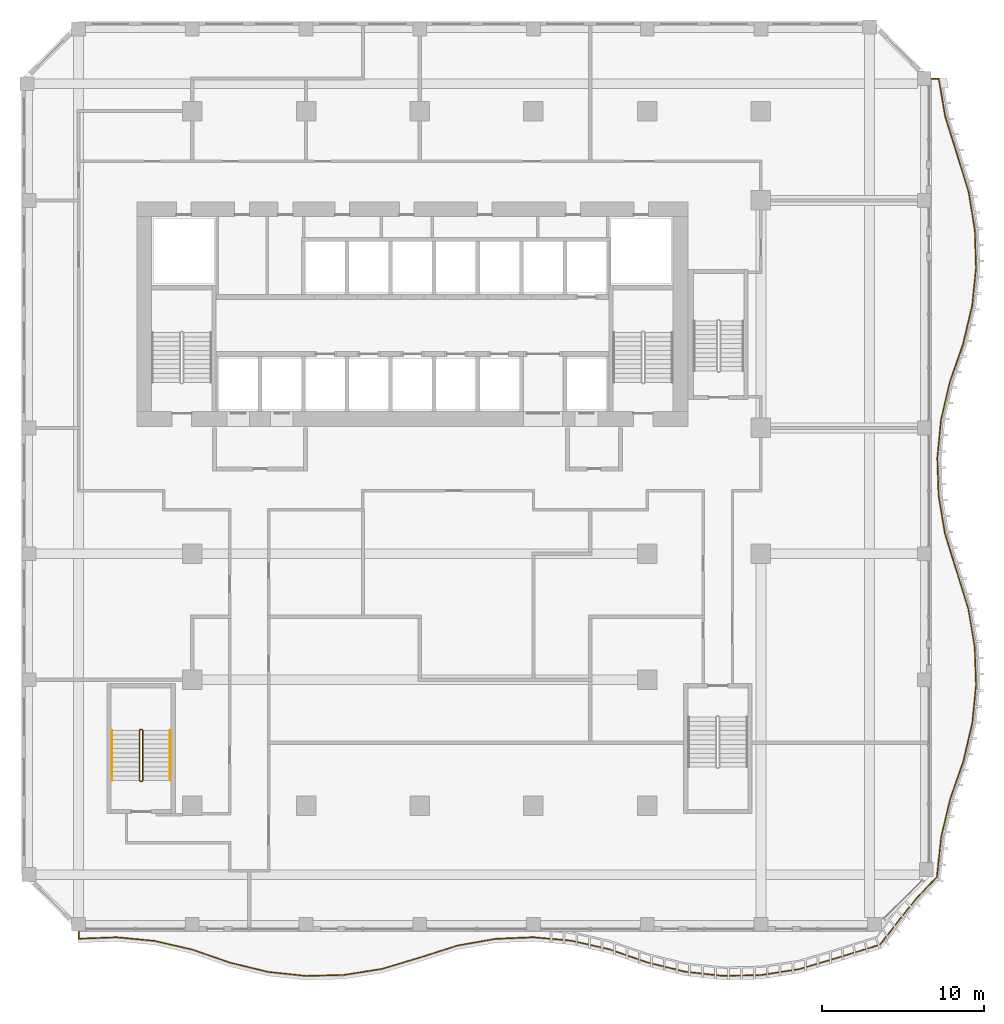
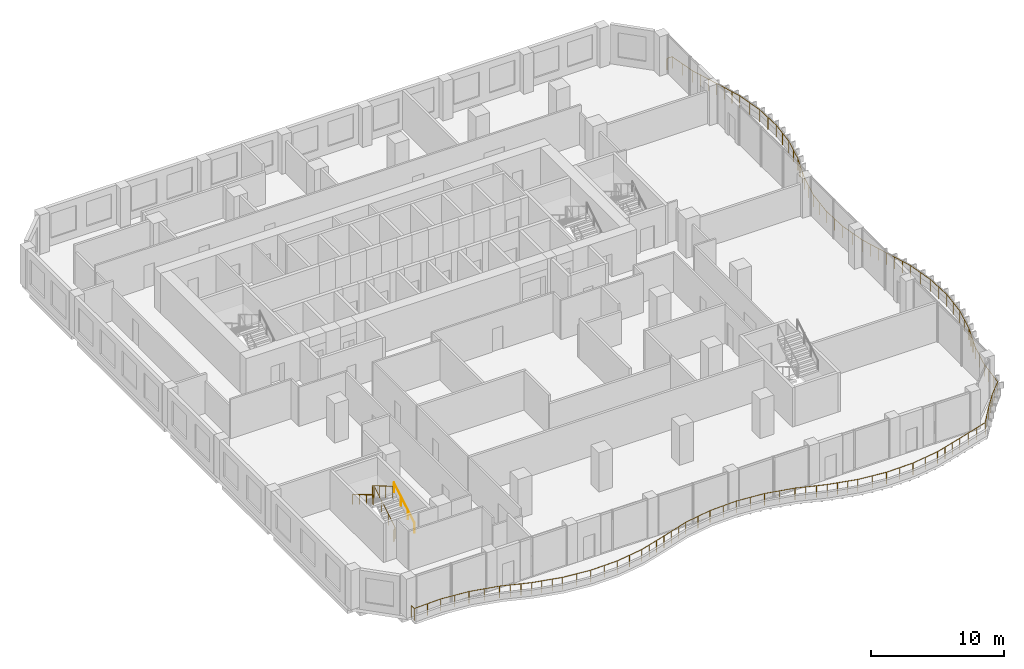
# One storey, part 17 of 19: 4 railings.
"""IFC4 building model written with IfcOpenShell, lengths in metres."""

from ifc_helpers import new_model, si_unit, direction, frame, origin, origin_2d, place, context, subcontext, project, spatial, circle, extrude, material, type_object, element, save


model = new_model("IFC4")

# Units and contexts
model_context = context("Model", 3, precision=1e-05, world=origin(), true_north=direction((0.0, 1.0)))
body_context = subcontext(model_context, "Body", "Model", "MODEL_VIEW")
ifc_project = project(units=[si_unit("LENGTHUNIT", "METRE"), si_unit("AREAUNIT", "SQUARE_METRE"), si_unit("VOLUMEUNIT", "CUBIC_METRE"), si_unit("PLANEANGLEUNIT", "RADIAN"), si_unit("MASSUNIT", "GRAM", prefix="KILO")], contexts=[model_context])

# Site, building, storey
site_placement = place(None, origin())
site = spatial("IfcSite", under=ifc_project, at=site_placement, CompositionType="ELEMENT")
building_placement = place(site_placement, origin())
building = spatial("IfcBuilding", under=site, at=building_placement, Name="Kilnfold Tower and Market Hall", CompositionType="ELEMENT")
storey_placement = place(building_placement, frame((0.0, 0.0, 124.60009765625)))
storey = spatial("IfcBuildingStorey", under=building, at=storey_placement, Name="L29", CompositionType="ELEMENT", Elevation=124.60009765625)

# Railings
ifc_material_1 = material(Name="Stainless steel 316", Category="steel")
railing_type_1 = type_object("IfcRailingType", Name="CORE STAIR GUARD 1100", PredefinedType="GUARDRAIL", material=ifc_material_1)
railing_1_placement = place(storey_placement, frame((-15.699951171875, -13.75, 0.0)))
element("IfcRailing", 1, at=railing_1_placement, inside=storey, type_object=railing_type_1, Name="L29 ST3 stair guard 1", PredefinedType="GUARDRAIL", context=body_context, shape_type="SweptSolid", body=[
    extrude(circle(Radius=0.02392578125, at=origin_2d()), frame((0.0, 0.0, 1.076171875), z_axis=(1.0, 0.0, 0.0), x_axis=(0.0, 1.0, 0.0)), (0.0, 0.0, 1.0), 0.099853515625),
    extrude(circle(Radius=0.02392578125, at=origin_2d()), frame((0.099853515625, 0.0, 1.076171875), z_axis=(0.27662974545, 0.27662974545, 0.920299933644), x_axis=(-0.707106781187, 0.707106781187, 0.0)), (0.0, 0.0, 1.0), 0.180908203125),
    extrude(circle(Radius=0.02392578125, at=origin_2d()), frame((0.14990234375, 0.050048828125, 1.24267578125), z_axis=(0.0, 0.859260807169, 0.511537745687), x_axis=(-1.0, 0.0, 0.0)), (0.0, 0.0, 1.0), 3.584228515625),
    extrude(circle(Radius=0.02392578125, at=origin_2d()), frame((0.14990234375, 3.1298828125, 3.076171875), z_axis=(-0.707106781187, 0.707106781187, 0.0), x_axis=(-0.707106781187, -0.707106781187, 0.0)), (0.0, 0.0, 1.0), 0.07080078125),
    extrude(circle(Radius=0.02392578125, at=origin_2d()), frame((0.099853515625, 3.179931640625, 3.076171875), z_axis=(-1.0, 0.0, 0.0), x_axis=(0.0, -1.0, 0.0)), (0.0, 0.0, 1.0), 0.099853515625),
    extrude(circle(Radius=0.02392578125, at=origin_2d()), frame((0.0, 3.179931640625, 3.076171875), z_axis=(-0.27662974545, -0.27662974545, 0.920299933644), x_axis=(0.707106781187, -0.707106781187, 0.0)), (0.0, 0.0, 1.0), 0.180908203125),
    extrude(circle(Radius=0.02392578125, at=origin_2d()), frame((-0.050048828125, 3.1298828125, 3.24267578125), z_axis=(0.0, -0.859260807169, 0.511537745687), x_axis=(1.0, 0.0, 0.0)), (0.0, 0.0, 1.0), 3.584228515625),
    extrude(circle(Radius=0.02099609375, at=origin_2d()), origin(), (0.0, 0.0, 1.0), 1.052001953125),
    extrude(circle(Radius=0.02099609375, at=origin_2d()), frame((0.099853515625, 0.0, 0.0)), (0.0, 0.0, 1.0), 1.052001953125),
    extrude(circle(Radius=0.02099609375, at=origin_2d()), frame((0.14990234375, 0.050048828125, 0.16650390625)), (0.0, 0.0, 1.0), 1.052001953125),
    extrude(circle(Radius=0.02099609375, at=origin_2d()), frame((0.14990234375, 1.07666015625, 0.777587890625)), (0.0, 0.0, 1.0), 1.052001953125),
    extrude(circle(Radius=0.02099609375, at=origin_2d()), frame((0.14990234375, 2.103271484375, 1.388916015625)), (0.0, 0.0, 1.0), 1.052001953125),
    extrude(circle(Radius=0.02099609375, at=origin_2d()), frame((0.14990234375, 3.1298828125, 2.0)), (0.0, 0.0, 1.0), 1.052001953125),
    extrude(circle(Radius=0.02099609375, at=origin_2d()), frame((0.099853515625, 3.179931640625, 2.0)), (0.0, 0.0, 1.0), 1.052001953125),
    extrude(circle(Radius=0.02099609375, at=origin_2d()), frame((0.0, 3.179931640625, 2.0)), (0.0, 0.0, 1.0), 1.052001953125),
    extrude(circle(Radius=0.02099609375, at=origin_2d()), frame((-0.050048828125, 3.1298828125, 2.16650390625)), (0.0, 0.0, 1.0), 1.052001953125),
    extrude(circle(Radius=0.02099609375, at=origin_2d()), frame((-0.050048828125, 2.103271484375, 2.777587890625)), (0.0, 0.0, 1.0), 1.052001953125),
    extrude(circle(Radius=0.02099609375, at=origin_2d()), frame((-0.050048828125, 1.07666015625, 3.388916015625)), (0.0, 0.0, 1.0), 1.052001953125),
    extrude(circle(Radius=0.02099609375, at=origin_2d()), frame((-0.050048828125, 0.050048828125, 4.0)), (0.0, 0.0, 1.0), 1.052001953125),
])
ifc_material_2 = material(Name="Stainless steel 316", Category="steel")
railing_type_2 = type_object("IfcRailingType", Name="CORE STAIR HANDRAIL 900", PredefinedType="HANDRAIL", material=ifc_material_2)
railing_2_placement = place(storey_placement, frame((-13.85009765625, -13.699951171875, 0.16650390625)))
element("IfcRailing", 2, at=railing_2_placement, inside=storey, type_object=railing_type_2, Name="L29 ST3 stair handrail 1", PredefinedType="HANDRAIL", context=body_context, shape_type="SweptSolid", body=[
    extrude(circle(Radius=0.02392578125, at=origin_2d()), frame((0.0, 0.0, 0.8759765625), z_axis=(0.0, 0.859260807169, 0.511537745687), x_axis=(-1.0, 0.0, 0.0)), (0.0, 0.0, 1.0), 3.584228515625),
    extrude(circle(Radius=0.02099609375, at=origin_2d()), origin(), (0.0, 0.0, 1.0), 0.851806640625),
    extrude(circle(Radius=0.02099609375, at=origin_2d()), frame((0.0, 1.026611328125, 0.611083984375)), (0.0, 0.0, 1.0), 0.851806640625),
    extrude(circle(Radius=0.02099609375, at=origin_2d()), frame((0.0, 2.05322265625, 1.222412109375)), (0.0, 0.0, 1.0), 0.851806640625),
    extrude(circle(Radius=0.02099609375, at=origin_2d()), frame((0.0, 3.079833984375, 1.83349609375)), (0.0, 0.0, 1.0), 0.851806640625),
])
railing_3_placement = place(storey_placement, frame((-17.449951171875, -10.6201171875, 2.16650390625)))
element("IfcRailing", 3, at=railing_3_placement, inside=storey, type_object=railing_type_2, Name="L29 ST3 stair handrail 2", PredefinedType="HANDRAIL", context=body_context, shape_type="SweptSolid", body=[
    extrude(circle(Radius=0.02392578125, at=origin_2d()), frame((0.0, 0.0, 0.8759765625), z_axis=(0.0, -0.859260807169, 0.511537745687), x_axis=(1.0, 0.0, 0.0)), (0.0, 0.0, 1.0), 3.584228515625),
    extrude(circle(Radius=0.02099609375, at=origin_2d()), origin(), (0.0, 0.0, 1.0), 0.851806640625),
    extrude(circle(Radius=0.02099609375, at=origin_2d()), frame((0.0, -1.026611328125, 0.611083984375)), (0.0, 0.0, 1.0), 0.851806640625),
    extrude(circle(Radius=0.02099609375, at=origin_2d()), frame((0.0, -2.05322265625, 1.222412109375)), (0.0, 0.0, 1.0), 0.851806640625),
    extrude(circle(Radius=0.02099609375, at=origin_2d()), frame((0.0, -3.079833984375, 1.83349609375)), (0.0, 0.0, 1.0), 0.851806640625),
])
ifc_material_3 = material(Name="Stainless steel and laminated glass", Category="steel")
railing_type_3 = type_object("IfcRailingType", Name="GUARD 1100", PredefinedType="GUARDRAIL", material=ifc_material_3)
railing_4_placement = place(storey_placement, frame((-19.5, -23.0, 0.0)))
element("IfcRailing", 4, at=railing_4_placement, inside=storey, type_object=railing_type_3, Name="Guard balcony L29", PredefinedType="GUARDRAIL", context=body_context, shape_type="SweptSolid", body=[
    extrude(circle(Radius=0.02490234375, at=origin_2d()), frame((0.0, 0.0, 1.0751953125), z_axis=(0.0, -1.0, 0.0), x_axis=(1.0, 0.0, 0.0)), (0.0, 0.0, 1.0), 0.44482421875),
    extrude(circle(Radius=0.02490234375, at=origin_2d()), frame((0.0, -0.44482421875, 1.0751953125), z_axis=(0.99929128772, 0.037642028208, 0.0), x_axis=(-0.037642028208, 0.99929128772, 0.0)), (0.0, 0.0, 1.0), 2.3349609375),
    extrude(circle(Radius=0.02490234375, at=origin_2d()), frame((2.333251953125, -0.35693359375, 1.0751953125), z_axis=(0.995644505792, -0.093230993166, 0.0), x_axis=(0.093230993166, 0.995644505792, 0.0)), (0.0, 0.0, 1.0), 2.34375),
    extrude(circle(Radius=0.02490234375, at=origin_2d()), frame((4.666748046875, -0.575439453125, 1.0751953125), z_axis=(0.974513070735, -0.224330726757, 0.0), x_axis=(0.224330726757, 0.974513070735, 0.0)), (0.0, 0.0, 1.0), 2.394287109375),
    extrude(circle(Radius=0.02490234375, at=origin_2d()), frame((7.0, -1.112548828125, 1.0751953125), z_axis=(0.94477785136, -0.327711476118, 0.0), x_axis=(0.327711476118, 0.94477785136, 0.0)), (0.0, 0.0, 1.0), 2.4697265625),
    extrude(circle(Radius=0.02490234375, at=origin_2d()), frame((9.333251953125, -1.921875, 1.0751953125), z_axis=(0.971689053427, -0.236263377293, 0.0), x_axis=(0.236263377293, 0.971689053427, 0.0)), (0.0, 0.0, 1.0), 2.4013671875),
    extrude(circle(Radius=0.02490234375, at=origin_2d()), frame((11.666748046875, -2.4892578125, 1.0751953125), z_axis=(0.994451154316, -0.105199342578, 0.0), x_axis=(0.105199342578, 0.994451154316, 0.0)), (0.0, 0.0, 1.0), 2.34619140625),
    extrude(circle(Radius=0.02490234375, at=origin_2d()), frame((14.0, -2.736083984375, 1.0751953125), z_axis=(0.999666187007, 0.025836303044, 0.0), x_axis=(-0.025836303044, 0.999666187007, 0.0)), (0.0, 0.0, 1.0), 2.333984375),
    extrude(circle(Radius=0.02490234375, at=origin_2d()), frame((16.333251953125, -2.67578125, 1.0751953125), z_axis=(0.987637813882, 0.156753145392, 0.0), x_axis=(-0.156753145392, 0.987637813882, 0.0)), (0.0, 0.0, 1.0), 2.36279296875),
    extrude(circle(Radius=0.02490234375, at=origin_2d()), frame((18.666748046875, -2.305419921875, 1.0751953125), z_axis=(0.957663412718, 0.287890235925, 0.0), x_axis=(-0.287890235925, 0.957663412718, 0.0)), (0.0, 0.0, 1.0), 2.436279296875),
    extrude(circle(Radius=0.02490234375, at=origin_2d()), frame((21.0, -1.60400390625, 1.0751953125), z_axis=(0.952921851424, 0.303216003995, 0.0), x_axis=(-0.303216003995, 0.952921851424, 0.0)), (0.0, 0.0, 1.0), 2.448486328125),
    extrude(circle(Radius=0.02490234375, at=origin_2d()), frame((23.333251953125, -0.861572265625, 1.0751953125), z_axis=(0.984971791129, 0.172715287919, 0.0), x_axis=(-0.172715287919, 0.984971791129, 0.0)), (0.0, 0.0, 1.0), 2.369140625),
    extrude(circle(Radius=0.02490234375, at=origin_2d()), frame((25.666748046875, -0.452392578125, 1.0751953125), z_axis=(0.999129627144, 0.041713165348, 0.0), x_axis=(-0.041713165348, 0.999129627144, 0.0)), (0.0, 0.0, 1.0), 2.335205078125),
    extrude(circle(Radius=0.02490234375, at=origin_2d()), frame((28.0, -0.35498046875, 1.0751953125), z_axis=(0.996003508368, -0.089314116006, 0.0), x_axis=(0.089314116006, 0.996003508368, 0.0)), (0.0, 0.0, 1.0), 2.342529296875),
    extrude(circle(Radius=0.02490234375, at=origin_2d()), frame((30.333251953125, -0.564208984375, 1.0751953125), z_axis=(0.975424731517, -0.220332914349, 0.0), x_axis=(0.220332914349, 0.975424731517, 0.0)), (0.0, 0.0, 1.0), 2.392333984375),
    extrude(circle(Radius=0.02490234375, at=origin_2d()), frame((32.666748046875, -1.09130859375, 1.0751953125), z_axis=(0.944930811153, -0.327270166885, 0.0), x_axis=(0.327270166885, 0.944930811153, 0.0)), (0.0, 0.0, 1.0), 2.46923828125),
    extrude(circle(Radius=0.02490234375, at=origin_2d()), frame((35.0, -1.8994140625, 1.0751953125), z_axis=(0.970719285672, -0.240216711375, 0.0), x_axis=(0.240216711375, 0.970719285672, 0.0)), (0.0, 0.0, 1.0), 2.403564453125),
    extrude(circle(Radius=0.02490234375, at=origin_2d()), frame((37.333251953125, -2.476806640625, 1.0751953125), z_axis=(0.994031227519, -0.109095915219, 0.0), x_axis=(0.109095915219, 0.994031227519, 0.0)), (0.0, 0.0, 1.0), 2.347412109375),
    extrude(circle(Radius=0.02490234375, at=origin_2d()), frame((39.666748046875, -2.73291015625, 1.0751953125), z_axis=(0.999763244951, 0.021758999158, 0.0), x_axis=(-0.021758999158, 0.999763244951, 0.0)), (0.0, 0.0, 1.0), 2.333740234375),
    extrude(circle(Radius=0.02490234375, at=origin_2d()), frame((42.0, -2.68212890625, 1.0751953125), z_axis=(0.988251847609, 0.152834177123, 0.0), x_axis=(-0.152834177123, 0.988251847609, 0.0)), (0.0, 0.0, 1.0), 2.361083984375),
    extrude(circle(Radius=0.02490234375, at=origin_2d()), frame((44.333251953125, -2.3212890625, 1.0751953125), z_axis=(0.95888005112, 0.283811640994, 0.0), x_axis=(-0.283811640994, 0.95888005112, 0.0)), (0.0, 0.0, 1.0), 2.43359375),
    extrude(circle(Radius=0.02490234375, at=origin_2d()), frame((46.666748046875, -1.630615234375, 1.0751953125), z_axis=(0.956056495729, 0.29318249773, 0.0), x_axis=(-0.29318249773, 0.956056495729, 0.0)), (0.0, 0.0, 1.0), 2.792236328125),
    extrude(circle(Radius=0.02490234375, at=origin_2d()), frame((49.336181640625, -0.81201171875, 1.0751953125), z_axis=(0.608544097831, 0.793520057084, 0.0), x_axis=(-0.793520057084, 0.608544097831, 0.0)), (0.0, 0.0, 1.0), 2.00341796875),
    extrude(circle(Radius=0.02490234375, at=origin_2d()), frame((50.555419921875, 0.77783203125, 1.0751953125), z_axis=(0.630404206472, 0.776267052284, 0.0), x_axis=(-0.776267052284, 0.630404206472, 0.0)), (0.0, 0.0, 1.0), 1.65869140625),
    extrude(circle(Radius=0.02490234375, at=origin_2d()), frame((51.60107421875, 2.0654296875, 1.0751953125), z_axis=(0.689072203812, 0.724692692066, 0.0), x_axis=(-0.724692692066, 0.689072203812, 0.0)), (0.0, 0.0, 1.0), 1.788818359375),
    extrude(circle(Radius=0.02490234375, at=origin_2d()), frame((52.833740234375, 3.36181640625, 1.0751953125), z_axis=(0.106668378268, 0.994294653047, 0.0), x_axis=(-0.994294653047, 0.106668378268, 0.0)), (0.0, 0.0, 1.0), 2.485595703125),
    extrude(circle(Radius=0.02490234375, at=origin_2d()), frame((53.098876953125, 5.833251953125, 1.0751953125), z_axis=(0.232225826385, 0.972661896838, 0.0), x_axis=(-0.972661896838, 0.232225826385, 0.0)), (0.0, 0.0, 1.0), 2.399169921875),
    extrude(circle(Radius=0.02490234375, at=origin_2d()), frame((53.656005859375, 8.166748046875, 1.0751953125), z_axis=(0.327976158754, 0.944686000367, 0.0), x_axis=(-0.944686000367, 0.327976158754, 0.0)), (0.0, 0.0, 1.0), 2.469970703125),
    extrude(circle(Radius=0.02490234375, at=origin_2d()), frame((54.466064453125, 10.5, 1.0751953125), z_axis=(0.228198867295, 0.973614542293, 0.0), x_axis=(-0.973614542293, 0.228198867295, 0.0)), (0.0, 0.0, 1.0), 2.396484375),
    extrude(circle(Radius=0.02490234375, at=origin_2d()), frame((55.012939453125, 12.833251953125, 1.0751953125), z_axis=(0.097255940957, 0.995259404351, 0.0), x_axis=(-0.995259404351, 0.097255940957, 0.0)), (0.0, 0.0, 1.0), 2.3447265625),
    extrude(circle(Radius=0.02490234375, at=origin_2d()), frame((55.240966796875, 15.166748046875, 1.0751953125), z_axis=(-0.033673473879, 0.99943288777, 0.0), x_axis=(-0.99943288777, -0.033673473879, 0.0)), (0.0, 0.0, 1.0), 2.33447265625),
    extrude(circle(Radius=0.02490234375, at=origin_2d()), frame((55.162353515625, 17.5, 1.0751953125), z_axis=(-0.164817368585, 0.986324102419, 0.0), x_axis=(-0.986324102419, -0.164817368585, 0.0)), (0.0, 0.0, 1.0), 2.36572265625),
    extrude(circle(Radius=0.02490234375, at=origin_2d()), frame((54.7724609375, 19.833251953125, 1.0751953125), z_axis=(-0.295735845624, 0.95526975751, 0.0), x_axis=(-0.95526975751, -0.295735845624, 0.0)), (0.0, 0.0, 1.0), 2.44287109375),
    extrude(circle(Radius=0.02490234375, at=origin_2d()), frame((54.050048828125, 22.166748046875, 1.0751953125), z_axis=(-0.29585528967, 0.955232771409, 0.0), x_axis=(-0.955232771409, -0.29585528967, 0.0)), (0.0, 0.0, 1.0), 2.442626953125),
    extrude(circle(Radius=0.02490234375, at=origin_2d()), frame((53.327392578125, 24.5, 1.0751953125), z_axis=(-0.164716965182, 0.986340874841, 0.0), x_axis=(-0.986340874841, -0.164716965182, 0.0)), (0.0, 0.0, 1.0), 2.365478515625),
    extrude(circle(Radius=0.02490234375, at=origin_2d()), frame((52.937744140625, 26.833251953125, 1.0751953125), z_axis=(-0.033774400789, 0.99942948218, 0.0), x_axis=(-0.99942948218, -0.033774400789, 0.0)), (0.0, 0.0, 1.0), 2.334716796875),
    extrude(circle(Radius=0.02490234375, at=origin_2d()), frame((52.85888671875, 29.166748046875, 1.0751953125), z_axis=(0.097266021095, 0.995258419276, 0.0), x_axis=(-0.995258419276, 0.097266021095, 0.0)), (0.0, 0.0, 1.0), 2.344482421875),
    extrude(circle(Radius=0.02490234375, at=origin_2d()), frame((53.0869140625, 31.5, 1.0751953125), z_axis=(0.228295433335, 0.973591903786, 0.0), x_axis=(-0.973591903786, 0.228295433335, 0.0)), (0.0, 0.0, 1.0), 2.396484375),
    extrude(circle(Radius=0.02490234375, at=origin_2d()), frame((53.634033203125, 33.833251953125, 1.0751953125), z_axis=(0.327945535063, 0.944696631746, 0.0), x_axis=(-0.944696631746, 0.327945535063, 0.0)), (0.0, 0.0, 1.0), 2.47021484375),
    extrude(circle(Radius=0.02490234375, at=origin_2d()), frame((54.444091796875, 36.166748046875, 1.0751953125), z_axis=(0.232248814801, 0.972656408, 0.0), x_axis=(-0.972656408, 0.232248814801, 0.0)), (0.0, 0.0, 1.0), 2.39892578125),
    extrude(circle(Radius=0.02490234375, at=origin_2d()), frame((55.001220703125, 38.5, 1.0751953125), z_axis=(0.101286610936, 0.994857287477, 0.0), x_axis=(-0.994857287477, 0.101286610936, 0.0)), (0.0, 0.0, 1.0), 2.34521484375),
    extrude(circle(Radius=0.02490234375, at=origin_2d()), frame((55.23876953125, 40.833251953125, 1.0751953125), z_axis=(-0.029804706654, 0.999555741048, 0.0), x_axis=(-0.999555741048, -0.029804706654, 0.0)), (0.0, 0.0, 1.0), 2.33447265625),
    extrude(circle(Radius=0.02490234375, at=origin_2d()), frame((55.169189453125, 43.166748046875, 1.0751953125), z_axis=(-0.160797265855, 0.986987456503, 0.0), x_axis=(-0.986987456503, -0.160797265855, 0.0)), (0.0, 0.0, 1.0), 2.364013671875),
    extrude(circle(Radius=0.02490234375, at=origin_2d()), frame((54.7890625, 45.5, 1.0751953125), z_axis=(-0.291834576062, 0.956468807758, 0.0), x_axis=(-0.956468807758, -0.291834576062, 0.0)), (0.0, 0.0, 1.0), 2.439453125),
    extrude(circle(Radius=0.02490234375, at=origin_2d()), frame((54.0771484375, 47.833251953125, 1.0751953125), z_axis=(-0.299650095299, 0.954049170843, 0.0), x_axis=(-0.954049170843, -0.299650095299, 0.0)), (0.0, 0.0, 1.0), 2.44580078125),
    extrude(circle(Radius=0.02490234375, at=origin_2d()), frame((53.34423828125, 50.166748046875, 1.0751953125), z_axis=(-0.168729077701, 0.985662466739, 0.0), x_axis=(-0.985662466739, -0.168729077701, 0.0)), (0.0, 0.0, 1.0), 2.3671875),
    extrude(circle(Radius=0.02490234375, at=origin_2d()), frame((52.94482421875, 52.5, 1.0751953125), z_axis=(-1.0, 0.0, 0.0), x_axis=(0.0, -1.0, 0.0)), (0.0, 0.0, 1.0), 0.44482421875),
    extrude(circle(Radius=0.02490234375, at=origin_2d()), origin(), (0.0, 0.0, 1.0), 1.050048828125),
    extrude(circle(Radius=0.02490234375, at=origin_2d()), frame((0.0, -0.44482421875, 0.0)), (0.0, 0.0, 1.0), 1.050048828125),
    extrude(circle(Radius=0.02490234375, at=origin_2d()), frame((1.16650390625, -0.40087890625, 0.0)), (0.0, 0.0, 1.0), 1.050048828125),
    extrude(circle(Radius=0.02490234375, at=origin_2d()), frame((2.333251953125, -0.35693359375, 0.0)), (0.0, 0.0, 1.0), 1.050048828125),
    extrude(circle(Radius=0.02490234375, at=origin_2d()), frame((3.5, -0.46630859375, 0.0)), (0.0, 0.0, 1.0), 1.050048828125),
    extrude(circle(Radius=0.02490234375, at=origin_2d()), frame((4.666748046875, -0.575439453125, 0.0)), (0.0, 0.0, 1.0), 1.050048828125),
    extrude(circle(Radius=0.02490234375, at=origin_2d()), frame((5.83349609375, -0.843994140625, 0.0)), (0.0, 0.0, 1.0), 1.050048828125),
    extrude(circle(Radius=0.02490234375, at=origin_2d()), frame((7.0, -1.112548828125, 0.0)), (0.0, 0.0, 1.0), 1.050048828125),
    extrude(circle(Radius=0.02490234375, at=origin_2d()), frame((7.77783203125, -1.38232421875, 0.0)), (0.0, 0.0, 1.0), 1.050048828125),
    extrude(circle(Radius=0.02490234375, at=origin_2d()), frame((8.555419921875, -1.652099609375, 0.0)), (0.0, 0.0, 1.0), 1.050048828125),
    extrude(circle(Radius=0.02490234375, at=origin_2d()), frame((9.333251953125, -1.921875, 0.0)), (0.0, 0.0, 1.0), 1.050048828125),
    extrude(circle(Radius=0.02490234375, at=origin_2d()), frame((10.111083984375, -2.111083984375, 0.0)), (0.0, 0.0, 1.0), 1.050048828125),
    extrude(circle(Radius=0.02490234375, at=origin_2d()), frame((10.888916015625, -2.300048828125, 0.0)), (0.0, 0.0, 1.0), 1.050048828125),
    extrude(circle(Radius=0.02490234375, at=origin_2d()), frame((11.666748046875, -2.4892578125, 0.0)), (0.0, 0.0, 1.0), 1.050048828125),
    extrude(circle(Radius=0.02490234375, at=origin_2d()), frame((12.83349609375, -2.61279296875, 0.0)), (0.0, 0.0, 1.0), 1.050048828125),
    extrude(circle(Radius=0.02490234375, at=origin_2d()), frame((14.0, -2.736083984375, 0.0)), (0.0, 0.0, 1.0), 1.050048828125),
    extrude(circle(Radius=0.02490234375, at=origin_2d()), frame((15.16650390625, -2.7060546875, 0.0)), (0.0, 0.0, 1.0), 1.050048828125),
    extrude(circle(Radius=0.02490234375, at=origin_2d()), frame((16.333251953125, -2.67578125, 0.0)), (0.0, 0.0, 1.0), 1.050048828125),
    extrude(circle(Radius=0.02490234375, at=origin_2d()), frame((17.5, -2.49072265625, 0.0)), (0.0, 0.0, 1.0), 1.050048828125),
    extrude(circle(Radius=0.02490234375, at=origin_2d()), frame((18.666748046875, -2.305419921875, 0.0)), (0.0, 0.0, 1.0), 1.050048828125),
    extrude(circle(Radius=0.02490234375, at=origin_2d()), frame((19.444580078125, -2.071533203125, 0.0)), (0.0, 0.0, 1.0), 1.050048828125),
    extrude(circle(Radius=0.02490234375, at=origin_2d()), frame((20.22216796875, -1.837890625, 0.0)), (0.0, 0.0, 1.0), 1.050048828125),
    extrude(circle(Radius=0.02490234375, at=origin_2d()), frame((21.0, -1.60400390625, 0.0)), (0.0, 0.0, 1.0), 1.050048828125),
    extrude(circle(Radius=0.02490234375, at=origin_2d()), frame((21.77783203125, -1.3564453125, 0.0)), (0.0, 0.0, 1.0), 1.050048828125),
    extrude(circle(Radius=0.02490234375, at=origin_2d()), frame((22.555419921875, -1.109130859375, 0.0)), (0.0, 0.0, 1.0), 1.050048828125),
    extrude(circle(Radius=0.02490234375, at=origin_2d()), frame((23.333251953125, -0.861572265625, 0.0)), (0.0, 0.0, 1.0), 1.050048828125),
    extrude(circle(Radius=0.02490234375, at=origin_2d()), frame((24.5, -0.656982421875, 0.0)), (0.0, 0.0, 1.0), 1.050048828125),
    extrude(circle(Radius=0.02490234375, at=origin_2d()), frame((25.666748046875, -0.452392578125, 0.0)), (0.0, 0.0, 1.0), 1.050048828125),
    extrude(circle(Radius=0.02490234375, at=origin_2d()), frame((26.83349609375, -0.40380859375, 0.0)), (0.0, 0.0, 1.0), 1.050048828125),
    extrude(circle(Radius=0.02490234375, at=origin_2d()), frame((28.0, -0.35498046875, 0.0)), (0.0, 0.0, 1.0), 1.050048828125),
    extrude(circle(Radius=0.02490234375, at=origin_2d()), frame((29.16650390625, -0.45947265625, 0.0)), (0.0, 0.0, 1.0), 1.050048828125),
    extrude(circle(Radius=0.02490234375, at=origin_2d()), frame((30.333251953125, -0.564208984375, 0.0)), (0.0, 0.0, 1.0), 1.050048828125),
    extrude(circle(Radius=0.02490234375, at=origin_2d()), frame((31.5, -0.82763671875, 0.0)), (0.0, 0.0, 1.0), 1.050048828125),
    extrude(circle(Radius=0.02490234375, at=origin_2d()), frame((32.666748046875, -1.09130859375, 0.0)), (0.0, 0.0, 1.0), 1.050048828125),
    extrude(circle(Radius=0.02490234375, at=origin_2d()), frame((33.444580078125, -1.360595703125, 0.0)), (0.0, 0.0, 1.0), 1.050048828125),
    extrude(circle(Radius=0.02490234375, at=origin_2d()), frame((34.22216796875, -1.630126953125, 0.0)), (0.0, 0.0, 1.0), 1.050048828125),
    extrude(circle(Radius=0.02490234375, at=origin_2d()), frame((35.0, -1.8994140625, 0.0)), (0.0, 0.0, 1.0), 1.050048828125),
    extrude(circle(Radius=0.02490234375, at=origin_2d()), frame((35.77783203125, -2.091796875, 0.0)), (0.0, 0.0, 1.0), 1.050048828125),
    extrude(circle(Radius=0.02490234375, at=origin_2d()), frame((36.555419921875, -2.284423828125, 0.0)), (0.0, 0.0, 1.0), 1.050048828125),
    extrude(circle(Radius=0.02490234375, at=origin_2d()), frame((37.333251953125, -2.476806640625, 0.0)), (0.0, 0.0, 1.0), 1.050048828125),
    extrude(circle(Radius=0.02490234375, at=origin_2d()), frame((38.5, -2.60498046875, 0.0)), (0.0, 0.0, 1.0), 1.050048828125),
    extrude(circle(Radius=0.02490234375, at=origin_2d()), frame((39.666748046875, -2.73291015625, 0.0)), (0.0, 0.0, 1.0), 1.050048828125),
    extrude(circle(Radius=0.02490234375, at=origin_2d()), frame((40.83349609375, -2.70751953125, 0.0)), (0.0, 0.0, 1.0), 1.050048828125),
    extrude(circle(Radius=0.02490234375, at=origin_2d()), frame((42.0, -2.68212890625, 0.0)), (0.0, 0.0, 1.0), 1.050048828125),
    extrude(circle(Radius=0.02490234375, at=origin_2d()), frame((43.16650390625, -2.501708984375, 0.0)), (0.0, 0.0, 1.0), 1.050048828125),
    extrude(circle(Radius=0.02490234375, at=origin_2d()), frame((44.333251953125, -2.3212890625, 0.0)), (0.0, 0.0, 1.0), 1.050048828125),
    extrude(circle(Radius=0.02490234375, at=origin_2d()), frame((45.111083984375, -2.091064453125, 0.0)), (0.0, 0.0, 1.0), 1.050048828125),
    extrude(circle(Radius=0.02490234375, at=origin_2d()), frame((45.888916015625, -1.86083984375, 0.0)), (0.0, 0.0, 1.0), 1.050048828125),
    extrude(circle(Radius=0.02490234375, at=origin_2d()), frame((46.666748046875, -1.630615234375, 0.0)), (0.0, 0.0, 1.0), 1.050048828125),
    extrude(circle(Radius=0.02490234375, at=origin_2d()), frame((47.556640625, -1.357666015625, 0.0)), (0.0, 0.0, 1.0), 1.050048828125),
    extrude(circle(Radius=0.02490234375, at=origin_2d()), frame((48.4462890625, -1.0849609375, 0.0)), (0.0, 0.0, 1.0), 1.050048828125),
    extrude(circle(Radius=0.02490234375, at=origin_2d()), frame((49.336181640625, -0.81201171875, 0.0)), (0.0, 0.0, 1.0), 1.050048828125),
    extrude(circle(Radius=0.02490234375, at=origin_2d()), frame((49.94580078125, -0.01708984375, 0.0)), (0.0, 0.0, 1.0), 1.050048828125),
    extrude(circle(Radius=0.02490234375, at=origin_2d()), frame((50.555419921875, 0.77783203125, 0.0)), (0.0, 0.0, 1.0), 1.050048828125),
    extrude(circle(Radius=0.02490234375, at=origin_2d()), frame((51.078125, 1.421630859375, 0.0)), (0.0, 0.0, 1.0), 1.050048828125),
    extrude(circle(Radius=0.02490234375, at=origin_2d()), frame((51.60107421875, 2.0654296875, 0.0)), (0.0, 0.0, 1.0), 1.050048828125),
    extrude(circle(Radius=0.02490234375, at=origin_2d()), frame((52.21728515625, 2.713623046875, 0.0)), (0.0, 0.0, 1.0), 1.050048828125),
    extrude(circle(Radius=0.02490234375, at=origin_2d()), frame((52.833740234375, 3.36181640625, 0.0)), (0.0, 0.0, 1.0), 1.050048828125),
    extrude(circle(Radius=0.02490234375, at=origin_2d()), frame((52.922119140625, 4.185546875, 0.0)), (0.0, 0.0, 1.0), 1.050048828125),
    extrude(circle(Radius=0.02490234375, at=origin_2d()), frame((53.010498046875, 5.009521484375, 0.0)), (0.0, 0.0, 1.0), 1.050048828125),
    extrude(circle(Radius=0.02490234375, at=origin_2d()), frame((53.098876953125, 5.833251953125, 0.0)), (0.0, 0.0, 1.0), 1.050048828125),
    extrude(circle(Radius=0.02490234375, at=origin_2d()), frame((53.37744140625, 7.0, 0.0)), (0.0, 0.0, 1.0), 1.050048828125),
    extrude(circle(Radius=0.02490234375, at=origin_2d()), frame((53.656005859375, 8.166748046875, 0.0)), (0.0, 0.0, 1.0), 1.050048828125),
    extrude(circle(Radius=0.02490234375, at=origin_2d()), frame((53.926025390625, 8.944580078125, 0.0)), (0.0, 0.0, 1.0), 1.050048828125),
    extrude(circle(Radius=0.02490234375, at=origin_2d()), frame((54.196044921875, 9.72216796875, 0.0)), (0.0, 0.0, 1.0), 1.050048828125),
    extrude(circle(Radius=0.02490234375, at=origin_2d()), frame((54.466064453125, 10.5, 0.0)), (0.0, 0.0, 1.0), 1.050048828125),
    extrude(circle(Radius=0.02490234375, at=origin_2d()), frame((54.739501953125, 11.66650390625, 0.0)), (0.0, 0.0, 1.0), 1.050048828125),
    extrude(circle(Radius=0.02490234375, at=origin_2d()), frame((55.012939453125, 12.833251953125, 0.0)), (0.0, 0.0, 1.0), 1.050048828125),
    extrude(circle(Radius=0.02490234375, at=origin_2d()), frame((55.126953125, 14.0, 0.0)), (0.0, 0.0, 1.0), 1.050048828125),
    extrude(circle(Radius=0.02490234375, at=origin_2d()), frame((55.240966796875, 15.166748046875, 0.0)), (0.0, 0.0, 1.0), 1.050048828125),
    extrude(circle(Radius=0.02490234375, at=origin_2d()), frame((55.20166015625, 16.33349609375, 0.0)), (0.0, 0.0, 1.0), 1.050048828125),
    extrude(circle(Radius=0.02490234375, at=origin_2d()), frame((55.162353515625, 17.5, 0.0)), (0.0, 0.0, 1.0), 1.050048828125),
    extrude(circle(Radius=0.02490234375, at=origin_2d()), frame((54.96728515625, 18.66650390625, 0.0)), (0.0, 0.0, 1.0), 1.050048828125),
    extrude(circle(Radius=0.02490234375, at=origin_2d()), frame((54.7724609375, 19.833251953125, 0.0)), (0.0, 0.0, 1.0), 1.050048828125),
    extrude(circle(Radius=0.02490234375, at=origin_2d()), frame((54.53173828125, 20.611083984375, 0.0)), (0.0, 0.0, 1.0), 1.050048828125),
    extrude(circle(Radius=0.02490234375, at=origin_2d()), frame((54.290771484375, 21.388916015625, 0.0)), (0.0, 0.0, 1.0), 1.050048828125),
    extrude(circle(Radius=0.02490234375, at=origin_2d()), frame((54.050048828125, 22.166748046875, 0.0)), (0.0, 0.0, 1.0), 1.050048828125),
    extrude(circle(Radius=0.02490234375, at=origin_2d()), frame((53.80908203125, 22.944580078125, 0.0)), (0.0, 0.0, 1.0), 1.050048828125),
    extrude(circle(Radius=0.02490234375, at=origin_2d()), frame((53.568359375, 23.72216796875, 0.0)), (0.0, 0.0, 1.0), 1.050048828125),
    extrude(circle(Radius=0.02490234375, at=origin_2d()), frame((53.327392578125, 24.5, 0.0)), (0.0, 0.0, 1.0), 1.050048828125),
    extrude(circle(Radius=0.02490234375, at=origin_2d()), frame((53.132568359375, 25.66650390625, 0.0)), (0.0, 0.0, 1.0), 1.050048828125),
    extrude(circle(Radius=0.02490234375, at=origin_2d()), frame((52.937744140625, 26.833251953125, 0.0)), (0.0, 0.0, 1.0), 1.050048828125),
    extrude(circle(Radius=0.02490234375, at=origin_2d()), frame((52.8984375, 28.0, 0.0)), (0.0, 0.0, 1.0), 1.050048828125),
    extrude(circle(Radius=0.02490234375, at=origin_2d()), frame((52.85888671875, 29.166748046875, 0.0)), (0.0, 0.0, 1.0), 1.050048828125),
    extrude(circle(Radius=0.02490234375, at=origin_2d()), frame((52.972900390625, 30.33349609375, 0.0)), (0.0, 0.0, 1.0), 1.050048828125),
    extrude(circle(Radius=0.02490234375, at=origin_2d()), frame((53.0869140625, 31.5, 0.0)), (0.0, 0.0, 1.0), 1.050048828125),
    extrude(circle(Radius=0.02490234375, at=origin_2d()), frame((53.3603515625, 32.66650390625, 0.0)), (0.0, 0.0, 1.0), 1.050048828125),
    extrude(circle(Radius=0.02490234375, at=origin_2d()), frame((53.634033203125, 33.833251953125, 0.0)), (0.0, 0.0, 1.0), 1.050048828125),
    extrude(circle(Radius=0.02490234375, at=origin_2d()), frame((53.904052734375, 34.611083984375, 0.0)), (0.0, 0.0, 1.0), 1.050048828125),
    extrude(circle(Radius=0.02490234375, at=origin_2d()), frame((54.174072265625, 35.388916015625, 0.0)), (0.0, 0.0, 1.0), 1.050048828125),
    extrude(circle(Radius=0.02490234375, at=origin_2d()), frame((54.444091796875, 36.166748046875, 0.0)), (0.0, 0.0, 1.0), 1.050048828125),
    extrude(circle(Radius=0.02490234375, at=origin_2d()), frame((54.72265625, 37.33349609375, 0.0)), (0.0, 0.0, 1.0), 1.050048828125),
    extrude(circle(Radius=0.02490234375, at=origin_2d()), frame((55.001220703125, 38.5, 0.0)), (0.0, 0.0, 1.0), 1.050048828125),
    extrude(circle(Radius=0.02490234375, at=origin_2d()), frame((55.1201171875, 39.66650390625, 0.0)), (0.0, 0.0, 1.0), 1.050048828125),
    extrude(circle(Radius=0.02490234375, at=origin_2d()), frame((55.23876953125, 40.833251953125, 0.0)), (0.0, 0.0, 1.0), 1.050048828125),
    extrude(circle(Radius=0.02490234375, at=origin_2d()), frame((55.2041015625, 42.0, 0.0)), (0.0, 0.0, 1.0), 1.050048828125),
    extrude(circle(Radius=0.02490234375, at=origin_2d()), frame((55.169189453125, 43.166748046875, 0.0)), (0.0, 0.0, 1.0), 1.050048828125),
    extrude(circle(Radius=0.02490234375, at=origin_2d()), frame((54.97900390625, 44.33349609375, 0.0)), (0.0, 0.0, 1.0), 1.050048828125),
    extrude(circle(Radius=0.02490234375, at=origin_2d()), frame((54.7890625, 45.5, 0.0)), (0.0, 0.0, 1.0), 1.050048828125),
    extrude(circle(Radius=0.02490234375, at=origin_2d()), frame((54.5517578125, 46.27783203125, 0.0)), (0.0, 0.0, 1.0), 1.050048828125),
    extrude(circle(Radius=0.02490234375, at=origin_2d()), frame((54.314453125, 47.055419921875, 0.0)), (0.0, 0.0, 1.0), 1.050048828125),
    extrude(circle(Radius=0.02490234375, at=origin_2d()), frame((54.0771484375, 47.833251953125, 0.0)), (0.0, 0.0, 1.0), 1.050048828125),
    extrude(circle(Radius=0.02490234375, at=origin_2d()), frame((53.832763671875, 48.611083984375, 0.0)), (0.0, 0.0, 1.0), 1.050048828125),
    extrude(circle(Radius=0.02490234375, at=origin_2d()), frame((53.588623046875, 49.388916015625, 0.0)), (0.0, 0.0, 1.0), 1.050048828125),
    extrude(circle(Radius=0.02490234375, at=origin_2d()), frame((53.34423828125, 50.166748046875, 0.0)), (0.0, 0.0, 1.0), 1.050048828125),
    extrude(circle(Radius=0.02490234375, at=origin_2d()), frame((53.14453125, 51.33349609375, 0.0)), (0.0, 0.0, 1.0), 1.050048828125),
    extrude(circle(Radius=0.02490234375, at=origin_2d()), frame((52.94482421875, 52.5, 0.0)), (0.0, 0.0, 1.0), 1.050048828125),
    extrude(circle(Radius=0.02490234375, at=origin_2d()), frame((52.5, 52.5, 0.0)), (0.0, 0.0, 1.0), 1.050048828125),
])

save(model, "model.ifc")
